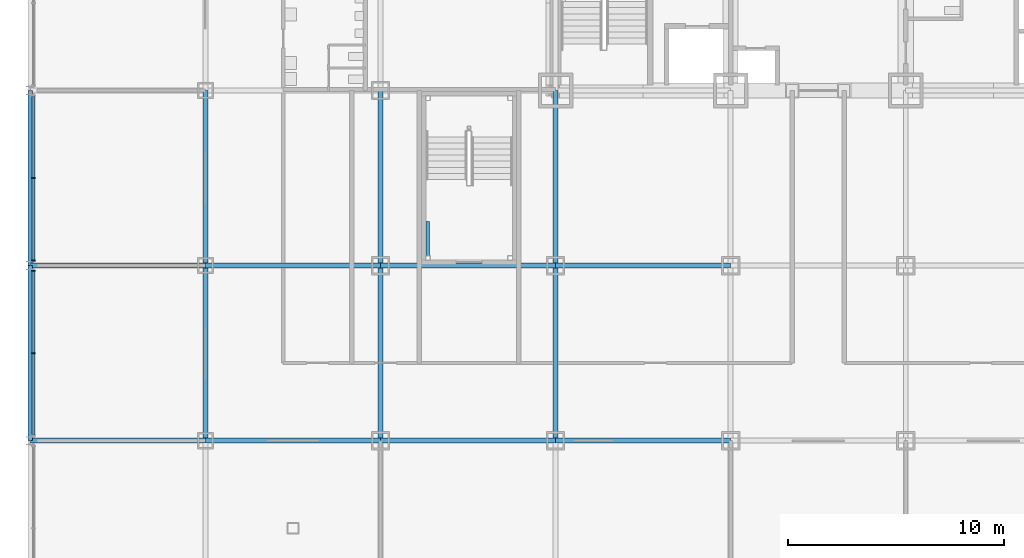
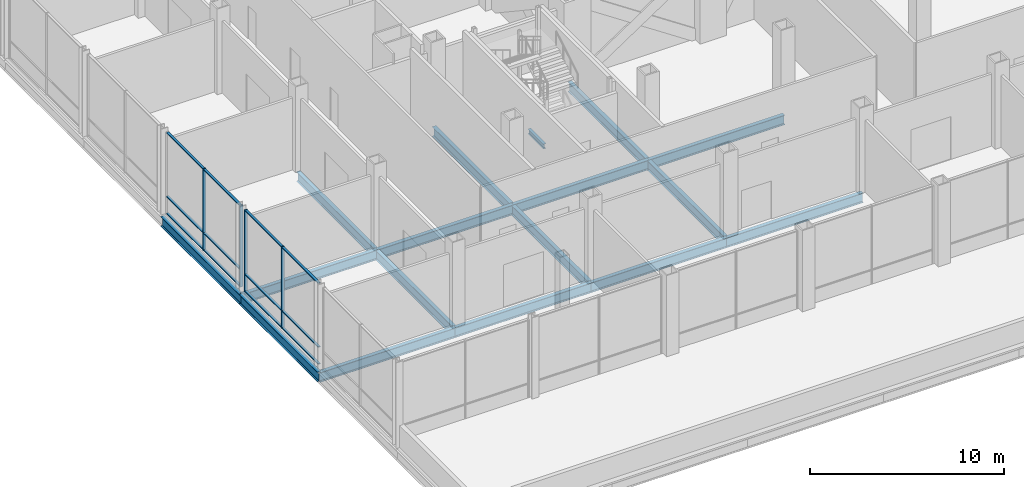
# One storey, part 10 of 29: 17 beams, 16 members, 2 elements without a shape of their own.
"""IFC4 building model written with IfcOpenShell, lengths in metres."""

from ifc_helpers import new_model, si_unit, direction, frame, origin, origin_2d, place, context, subcontext, project, spatial, rectangle, i_section, extrude, material, material_profile, profile_set, type_object, element, aggregate, save


model = new_model("IFC4")

# Units and contexts
model_context = context("Model", 3, precision=1e-05, world=origin(), true_north=direction((0.0, 1.0)))
body_context = subcontext(model_context, "Body", "Model", "MODEL_VIEW")
ifc_project = project(units=[si_unit("LENGTHUNIT", "METRE"), si_unit("AREAUNIT", "SQUARE_METRE"), si_unit("VOLUMEUNIT", "CUBIC_METRE"), si_unit("PLANEANGLEUNIT", "RADIAN"), si_unit("MASSUNIT", "GRAM", prefix="KILO")], contexts=[model_context])

# Site, building, storey
site_placement = place(None, origin())
site = spatial("IfcSite", under=ifc_project, at=site_placement, CompositionType="ELEMENT")
building_placement = place(site_placement, origin())
building = spatial("IfcBuilding", under=site, at=building_placement, Name="Kopane Lantern Tower", CompositionType="ELEMENT")
storey_placement = place(building_placement, frame((0.0, 0.0, 11.39990234375)))
storey = spatial("IfcBuildingStorey", under=building, at=storey_placement, Name="L02", CompositionType="ELEMENT", Elevation=11.39990234375)

# Beams
ifc_material_1 = material(Name="Steel S355JR", Category="steel")
ifc_material_profile_1 = material_profile(ifc_material_1, i_section(OverallWidth=0.22900390625, OverallDepth=0.6123046875, WebThickness=0.011962890625, FlangeThickness=0.01953125, FilletRadius=0.0126953125, at=origin_2d()), Name="UB 610x229x125")
ifc_profile_set_1 = profile_set([ifc_material_profile_1], Name="Steel S355JR")
beam_type_1 = type_object("IfcBeamType", Name="GIRDER UB 610x229x125", PredefinedType="BEAM", material=ifc_profile_set_1)
beam_1_placement = place(storey_placement, frame((-8.10009765625, 8.10009765625, -0.555908203125), z_axis=(0.0, 1.0, 0.0), x_axis=(-1.0, 0.0, 0.0)))
element("IfcBeam", 1, at=beam_1_placement, inside=storey, type_object=beam_type_1, Name="Girder L02", PredefinedType="BEAM", context=body_context, shape_type="SweptSolid", body=[
    extrude(i_section(OverallWidth=0.22900390625, OverallDepth=0.6123046875, WebThickness=0.011962890625, FlangeThickness=0.01953125, FilletRadius=0.0126953125, at=origin_2d()), origin(), (0.0, 0.0, 1.0), 8.099853515625),
])
for number, where, z_axis, x_axis, name in (
    (2, (-8.10009765625, 8.10009765625, -0.555908203125), (1.0, 0.0, 0.0), (0.0, 1.0, 0.0), "Girder L02"),
    (3, (-8.10009765625, 16.199951171875, -0.555908203125), (0.0, 1.0, 0.0), (-1.0, 0.0, 0.0), "Girder L02"),
    (4, (-8.10009765625, 16.199951171875, -0.555908203125), (1.0, 0.0, 0.0), (0.0, 1.0, 0.0), "Girder L02"),
):
    element("IfcBeam", number, at=place(storey_placement, frame(where, z_axis=z_axis, x_axis=x_axis)), inside=storey, type_object=beam_type_1, Name=name, PredefinedType="BEAM", context=body_context, shape_type="SweptSolid", body=[
        extrude(i_section(OverallWidth=0.22900390625, OverallDepth=0.6123046875, WebThickness=0.011962890625, FlangeThickness=0.01953125, FilletRadius=0.0126953125, at=origin_2d()), origin(), (0.0, 0.0, 1.0), 8.10009765625),
    ])
beam_2_placement = place(storey_placement, frame((0.0, 8.10009765625, -0.555908203125), z_axis=(0.0, 1.0, 0.0), x_axis=(-1.0, 0.0, 0.0)))
element("IfcBeam", 5, at=beam_2_placement, inside=storey, type_object=beam_type_1, Name="Girder L02", PredefinedType="BEAM", context=body_context, shape_type="SweptSolid", body=[
    extrude(i_section(OverallWidth=0.22900390625, OverallDepth=0.6123046875, WebThickness=0.011962890625, FlangeThickness=0.01953125, FilletRadius=0.0126953125, at=origin_2d()), origin(), (0.0, 0.0, 1.0), 8.099853515625),
])
for number, where, z_axis, x_axis, name in (
    (6, (0.0, 8.10009765625, -0.555908203125), (1.0, 0.0, 0.0), (0.0, 1.0, 0.0), "Girder L02"),
    (7, (0.0, 16.199951171875, -0.555908203125), (0.0, 1.0, 0.0), (-1.0, 0.0, 0.0), "Girder L02"),
    (8, (0.0, 16.199951171875, -0.555908203125), (1.0, 0.0, 0.0), (0.0, 1.0, 0.0), "Girder L02"),
):
    element("IfcBeam", number, at=place(storey_placement, frame(where, z_axis=z_axis, x_axis=x_axis)), inside=storey, type_object=beam_type_1, Name=name, PredefinedType="BEAM", context=body_context, shape_type="SweptSolid", body=[
        extrude(i_section(OverallWidth=0.22900390625, OverallDepth=0.6123046875, WebThickness=0.011962890625, FlangeThickness=0.01953125, FilletRadius=0.0126953125, at=origin_2d()), origin(), (0.0, 0.0, 1.0), 8.10009765625),
    ])
for number, where, z_axis, x_axis, name in (
    (9, (8.10009765625, 8.10009765625, -0.555908203125), (0.0, 1.0, 0.0), (-1.0, 0.0, 0.0), "Girder L02"),
    (10, (8.10009765625, 8.10009765625, -0.555908203125), (1.0, 0.0, 0.0), (0.0, 1.0, 0.0), "Girder L02"),
):
    element("IfcBeam", number, at=place(storey_placement, frame(where, z_axis=z_axis, x_axis=x_axis)), inside=storey, type_object=beam_type_1, Name=name, PredefinedType="BEAM", context=body_context, shape_type="SweptSolid", body=[
        extrude(i_section(OverallWidth=0.22900390625, OverallDepth=0.6123046875, WebThickness=0.011962890625, FlangeThickness=0.01953125, FilletRadius=0.0126953125, at=origin_2d()), origin(), (0.0, 0.0, 1.0), 8.099853515625),
    ])
beam_3_placement = place(storey_placement, frame((8.10009765625, 16.199951171875, -0.555908203125), z_axis=(0.0, 1.0, 0.0), x_axis=(-1.0, 0.0, 0.0)))
element("IfcBeam", 11, at=beam_3_placement, inside=storey, type_object=beam_type_1, Name="Girder L02", PredefinedType="BEAM", context=body_context, shape_type="SweptSolid", body=[
    extrude(i_section(OverallWidth=0.22900390625, OverallDepth=0.6123046875, WebThickness=0.011962890625, FlangeThickness=0.01953125, FilletRadius=0.0126953125, at=origin_2d()), origin(), (0.0, 0.0, 1.0), 8.10009765625),
])
for number, where, z_axis, x_axis, name in (
    (12, (8.10009765625, 16.199951171875, -0.555908203125), (1.0, 0.0, 0.0), (0.0, 1.0, 0.0), "Girder L02"),
    (13, (16.199951171875, 8.10009765625, -0.555908203125), (0.0, 1.0, 0.0), (-1.0, 0.0, 0.0), "Girder L02"),
):
    element("IfcBeam", number, at=place(storey_placement, frame(where, z_axis=z_axis, x_axis=x_axis)), inside=storey, type_object=beam_type_1, Name=name, PredefinedType="BEAM", context=body_context, shape_type="SweptSolid", body=[
        extrude(i_section(OverallWidth=0.22900390625, OverallDepth=0.6123046875, WebThickness=0.011962890625, FlangeThickness=0.01953125, FilletRadius=0.0126953125, at=origin_2d()), origin(), (0.0, 0.0, 1.0), 8.099853515625),
    ])
for number, where, z_axis, x_axis, name in (
    (14, (16.199951171875, 8.10009765625, -0.555908203125), (1.0, 0.0, 0.0), (0.0, 1.0, 0.0), "Girder L02"),
    (15, (16.199951171875, 16.199951171875, -0.555908203125), (0.0, 1.0, 0.0), (-1.0, 0.0, 0.0), "Girder L02"),
    (16, (16.199951171875, 16.199951171875, -0.555908203125), (1.0, 0.0, 0.0), (0.0, 1.0, 0.0), "Girder L02"),
):
    element("IfcBeam", number, at=place(storey_placement, frame(where, z_axis=z_axis, x_axis=x_axis)), inside=storey, type_object=beam_type_1, Name=name, PredefinedType="BEAM", context=body_context, shape_type="SweptSolid", body=[
        extrude(i_section(OverallWidth=0.22900390625, OverallDepth=0.6123046875, WebThickness=0.011962890625, FlangeThickness=0.01953125, FilletRadius=0.0126953125, at=origin_2d()), origin(), (0.0, 0.0, 1.0), 8.10009765625),
    ])

# Curtain wall, members
ifc_material_2 = material(Name="Aluminium and clear glass", Category="aluminium")
curtain_wall_type = type_object("IfcCurtainWallType", Name="CURTAIN WALL CW2 PODIUM UPPER", PredefinedType="USERDEFINED", material=ifc_material_2)
curtain_wall_1_placement = place(storey_placement, origin())
curtain_wall_1 = element("IfcCurtainWall", 17, at=curtain_wall_1_placement, inside=storey, type_object=curtain_wall_type, Name="Curtain wall CW2 W L02", ObjectType="CURTAIN WALL", PredefinedType="USERDEFINED")
ifc_material_3 = material(Name="Aluminium", Category="aluminium")
ifc_material_profile_2 = material_profile(ifc_material_3, rectangle(XDim=0.06005859375, YDim=0.179931640625, at=origin_2d()), Name="AL 60x180")
ifc_profile_set_2 = profile_set([ifc_material_profile_2], Name="Aluminium")
member_type_1 = type_object("IfcMemberType", Name="MULLION CW2-M 60x180", PredefinedType="MULLION", material=ifc_profile_set_2)
member_1_placement = place(storey_placement, frame((-7.949951171875, 20.25, 0.0), z_axis=(0.0, 0.0, 1.0), x_axis=(0.0, -1.0, 0.0)))
member_1 = element("IfcMember", 18, at=member_1_placement, type_object=member_type_1, Name="CW2 mullion 2", PredefinedType="MULLION", context=body_context, shape_type="SweptSolid", body=[
    extrude(rectangle(XDim=0.06005859375, YDim=0.179931640625, at=origin_2d()), origin(), (0.0, 0.0, 1.0), 5.150146484375),
])
member_2_placement = place(storey_placement, frame((-7.949951171875, 16.438232421875, 0.0), z_axis=(0.0, 0.0, 1.0), x_axis=(0.0, -1.0, 0.0)))
member_2 = element("IfcMember", 19, at=member_2_placement, type_object=member_type_1, Name="CW2 mullion 3", PredefinedType="MULLION", context=body_context, shape_type="SweptSolid", body=[
    extrude(rectangle(XDim=0.06005859375, YDim=0.179931640625, at=origin_2d()), origin(), (0.0, 0.0, 1.0), 5.150146484375),
])

curtain_wall_2_placement = place(storey_placement, origin())
curtain_wall_2 = element("IfcCurtainWall", 20, at=curtain_wall_2_placement, inside=storey, type_object=curtain_wall_type, Name="Curtain wall CW2 W L02", ObjectType="CURTAIN WALL", PredefinedType="USERDEFINED")
member_3_placement = place(storey_placement, frame((-7.949951171875, 15.9619140625, 0.0), z_axis=(0.0, 0.0, 1.0), x_axis=(0.0, -1.0, 0.0)))
member_3 = element("IfcMember", 21, at=member_3_placement, type_object=member_type_1, Name="CW2 mullion 1", PredefinedType="MULLION", context=body_context, shape_type="SweptSolid", body=[
    extrude(rectangle(XDim=0.06005859375, YDim=0.179931640625, at=origin_2d()), origin(), (0.0, 0.0, 1.0), 5.150146484375),
])
member_4_placement = place(storey_placement, frame((-7.949951171875, 12.14990234375, 0.0), z_axis=(0.0, 0.0, 1.0), x_axis=(0.0, -1.0, 0.0)))
member_4 = element("IfcMember", 22, at=member_4_placement, type_object=member_type_1, Name="CW2 mullion 2", PredefinedType="MULLION", context=body_context, shape_type="SweptSolid", body=[
    extrude(rectangle(XDim=0.06005859375, YDim=0.179931640625, at=origin_2d()), origin(), (0.0, 0.0, 1.0), 5.150146484375),
])

# Beam
ifc_material_4 = material(Name="Steel S355JR", Category="steel")
ifc_material_profile_3 = material_profile(ifc_material_4, i_section(OverallWidth=0.1650390625, OverallDepth=0.303466796875, WebThickness=0.006103515625, FlangeThickness=0.01025390625, FilletRadius=0.0087890625, at=origin_2d()), Name="UB 305x165x40")
ifc_profile_set_3 = profile_set([ifc_material_profile_3], Name="Steel S355JR")
beam_type_2 = type_object("IfcBeamType", Name="STAIR LANDING BEAM UB 305x165x40", PredefinedType="BEAM", material=ifc_profile_set_3)
beam_4_placement = place(storey_placement, frame((10.282470703125, 16.64990234375, 2.348388671875), z_axis=(0.0, 1.0, 0.0), x_axis=(-1.0, 0.0, 0.0)))
element("IfcBeam", 23, at=beam_4_placement, inside=storey, type_object=beam_type_2, Name="Stair landing beam ST3 L02", PredefinedType="BEAM", context=body_context, shape_type="SweptSolid", body=[
    extrude(i_section(OverallWidth=0.1650390625, OverallDepth=0.303466796875, WebThickness=0.006103515625, FlangeThickness=0.01025390625, FilletRadius=0.0087890625, at=origin_2d()), origin(), (0.0, 0.0, 1.0), 1.60009765625),
])

# Member
ifc_material_5 = material(Name="Aluminium", Category="aluminium")
ifc_material_profile_4 = material_profile(ifc_material_5, rectangle(XDim=0.139892578125, YDim=0.06005859375, at=origin_2d()), Name="AL 140x60")
ifc_profile_set_4 = profile_set([ifc_material_profile_4], Name="Aluminium")
member_type_2 = type_object("IfcMemberType", Name="TRANSOM CW2-T 60x140", PredefinedType="USERDEFINED", material=ifc_profile_set_4)
member_5_placement = place(storey_placement, frame((-7.949951171875, 24.03173828125, 0.030029296875), z_axis=(0.0, -1.0, 0.0), x_axis=(1.0, 0.0, 0.0)))
member_5 = element("IfcMember", 24, at=member_5_placement, type_object=member_type_2, Name="CW2 transom 1.1", ObjectType="TRANSOM", PredefinedType="USERDEFINED", context=body_context, shape_type="SweptSolid", body=[
    extrude(rectangle(XDim=0.139892578125, YDim=0.06005859375, at=origin_2d()), origin(), (0.0, 0.0, 1.0), 3.751708984375),
])

member_6_placement = place(storey_placement, frame((-7.949951171875, 24.03173828125, 1.10009765625), z_axis=(0.0, -1.0, 0.0), x_axis=(1.0, 0.0, 0.0)))
member_6 = element("IfcMember", 25, at=member_6_placement, type_object=member_type_2, Name="CW2 transom 1.2", ObjectType="TRANSOM", PredefinedType="USERDEFINED", context=body_context, shape_type="SweptSolid", body=[
    extrude(rectangle(XDim=0.139892578125, YDim=0.06005859375, at=origin_2d()), origin(), (0.0, 0.0, 1.0), 3.751708984375),
])

member_7_placement = place(storey_placement, frame((-7.949951171875, 24.03173828125, 5.1201171875), z_axis=(0.0, -1.0, 0.0), x_axis=(1.0, 0.0, 0.0)))
member_7 = element("IfcMember", 26, at=member_7_placement, type_object=member_type_2, Name="CW2 transom 1.3", ObjectType="TRANSOM", PredefinedType="USERDEFINED", context=body_context, shape_type="SweptSolid", body=[
    extrude(rectangle(XDim=0.139892578125, YDim=0.06005859375, at=origin_2d()), origin(), (0.0, 0.0, 1.0), 3.751708984375),
])

member_8_placement = place(storey_placement, frame((-7.949951171875, 20.219970703125, 0.030029296875), z_axis=(0.0, -1.0, 0.0), x_axis=(1.0, 0.0, 0.0)))
member_8 = element("IfcMember", 27, at=member_8_placement, type_object=member_type_2, Name="CW2 transom 2.1", ObjectType="TRANSOM", PredefinedType="USERDEFINED", context=body_context, shape_type="SweptSolid", body=[
    extrude(rectangle(XDim=0.139892578125, YDim=0.06005859375, at=origin_2d()), origin(), (0.0, 0.0, 1.0), 3.751708984375),
])

member_9_placement = place(storey_placement, frame((-7.949951171875, 20.219970703125, 1.10009765625), z_axis=(0.0, -1.0, 0.0), x_axis=(1.0, 0.0, 0.0)))
member_9 = element("IfcMember", 28, at=member_9_placement, type_object=member_type_2, Name="CW2 transom 2.2", ObjectType="TRANSOM", PredefinedType="USERDEFINED", context=body_context, shape_type="SweptSolid", body=[
    extrude(rectangle(XDim=0.139892578125, YDim=0.06005859375, at=origin_2d()), origin(), (0.0, 0.0, 1.0), 3.751708984375),
])

member_10_placement = place(storey_placement, frame((-7.949951171875, 20.219970703125, 5.1201171875), z_axis=(0.0, -1.0, 0.0), x_axis=(1.0, 0.0, 0.0)))
member_10 = element("IfcMember", 29, at=member_10_placement, type_object=member_type_2, Name="CW2 transom 2.3", ObjectType="TRANSOM", PredefinedType="USERDEFINED", context=body_context, shape_type="SweptSolid", body=[
    extrude(rectangle(XDim=0.139892578125, YDim=0.06005859375, at=origin_2d()), origin(), (0.0, 0.0, 1.0), 3.751708984375),
])

aggregate(curtain_wall_1, [member_1, member_2, member_5, member_6, member_7, member_8, member_9, member_10])

member_11_placement = place(storey_placement, frame((-7.949951171875, 15.931884765625, 0.030029296875), z_axis=(0.0, -1.0, 0.0), x_axis=(1.0, 0.0, 0.0)))
member_11 = element("IfcMember", 30, at=member_11_placement, type_object=member_type_2, Name="CW2 transom 1.1", ObjectType="TRANSOM", PredefinedType="USERDEFINED", context=body_context, shape_type="SweptSolid", body=[
    extrude(rectangle(XDim=0.139892578125, YDim=0.06005859375, at=origin_2d()), origin(), (0.0, 0.0, 1.0), 3.751953125),
])

member_12_placement = place(storey_placement, frame((-7.949951171875, 15.931884765625, 1.10009765625), z_axis=(0.0, -1.0, 0.0), x_axis=(1.0, 0.0, 0.0)))
member_12 = element("IfcMember", 31, at=member_12_placement, type_object=member_type_2, Name="CW2 transom 1.2", ObjectType="TRANSOM", PredefinedType="USERDEFINED", context=body_context, shape_type="SweptSolid", body=[
    extrude(rectangle(XDim=0.139892578125, YDim=0.06005859375, at=origin_2d()), origin(), (0.0, 0.0, 1.0), 3.751953125),
])

member_13_placement = place(storey_placement, frame((-7.949951171875, 15.931884765625, 5.1201171875), z_axis=(0.0, -1.0, 0.0), x_axis=(1.0, 0.0, 0.0)))
member_13 = element("IfcMember", 32, at=member_13_placement, type_object=member_type_2, Name="CW2 transom 1.3", ObjectType="TRANSOM", PredefinedType="USERDEFINED", context=body_context, shape_type="SweptSolid", body=[
    extrude(rectangle(XDim=0.139892578125, YDim=0.06005859375, at=origin_2d()), origin(), (0.0, 0.0, 1.0), 3.751953125),
])

member_14_placement = place(storey_placement, frame((-7.949951171875, 12.1201171875, 0.030029296875), z_axis=(0.0, -1.0, 0.0), x_axis=(1.0, 0.0, 0.0)))
member_14 = element("IfcMember", 33, at=member_14_placement, type_object=member_type_2, Name="CW2 transom 2.1", ObjectType="TRANSOM", PredefinedType="USERDEFINED", context=body_context, shape_type="SweptSolid", body=[
    extrude(rectangle(XDim=0.139892578125, YDim=0.06005859375, at=origin_2d()), origin(), (0.0, 0.0, 1.0), 3.751953125),
])

member_15_placement = place(storey_placement, frame((-7.949951171875, 12.1201171875, 1.10009765625), z_axis=(0.0, -1.0, 0.0), x_axis=(1.0, 0.0, 0.0)))
member_15 = element("IfcMember", 34, at=member_15_placement, type_object=member_type_2, Name="CW2 transom 2.2", ObjectType="TRANSOM", PredefinedType="USERDEFINED", context=body_context, shape_type="SweptSolid", body=[
    extrude(rectangle(XDim=0.139892578125, YDim=0.06005859375, at=origin_2d()), origin(), (0.0, 0.0, 1.0), 3.751953125),
])

member_16_placement = place(storey_placement, frame((-7.949951171875, 12.1201171875, 5.1201171875), z_axis=(0.0, -1.0, 0.0), x_axis=(1.0, 0.0, 0.0)))
member_16 = element("IfcMember", 35, at=member_16_placement, type_object=member_type_2, Name="CW2 transom 2.3", ObjectType="TRANSOM", PredefinedType="USERDEFINED", context=body_context, shape_type="SweptSolid", body=[
    extrude(rectangle(XDim=0.139892578125, YDim=0.06005859375, at=origin_2d()), origin(), (0.0, 0.0, 1.0), 3.751953125),
])

aggregate(curtain_wall_2, [member_3, member_4, member_11, member_12, member_13, member_14, member_15, member_16])

save(model, "model.ifc")
